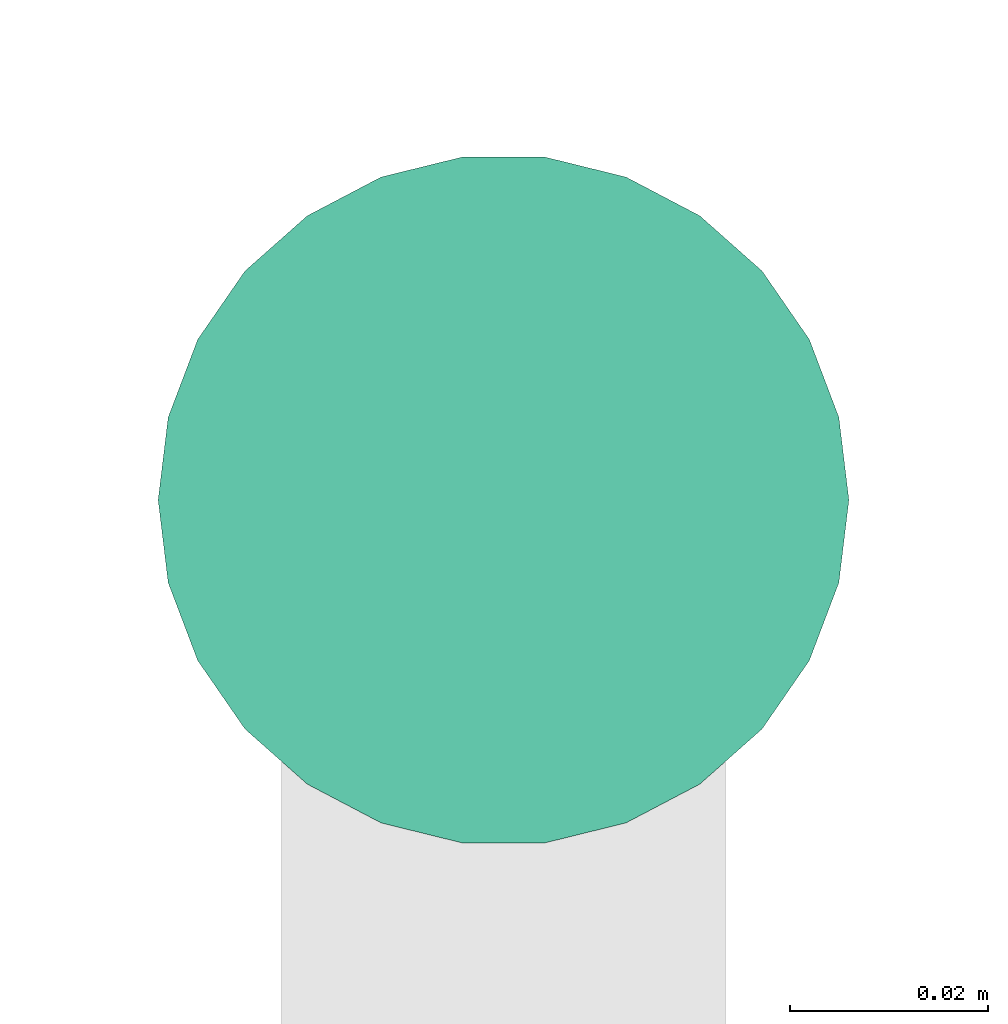
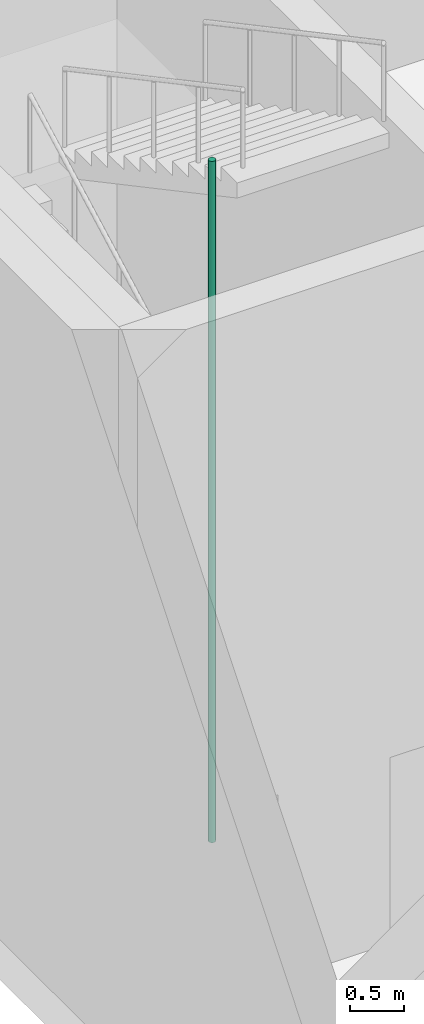
# One storey, part 24 of 33: 1 pipe segment.
"""IFC4 building model written with IfcOpenShell, lengths in metres."""

import ifcopenshell
import ifcopenshell.guid

model = None  # the IFC model being written
_history = None  # IfcOwnerHistory: only IFC2X3 demands one
_inside = {}  # id of a spatial element -> (the spatial element, [elements in it])
_under = {}  # id of a project, library or spatial element -> (it, [spatial elements below it])
_declared = {}  # id of a project -> (the project, [libraries it declares])
_typed = {}  # id of a type object -> (the type object, [elements of that type])
_made_of = {}  # id of a material, layer set ... -> (it, [elements and type objects made of it])


def new_model(schema):
    """Start an empty IFC model of exactly this schema.

    Asked for "IFC4X3", IfcOpenShell would pick the latest addendum, in which some entities
    have other attributes; the version numbers below select the first issue.
    IFC2X3 requires an IfcOwnerHistory on every rooted entity: one is made here for all.
    """
    global model, _history
    if schema == "IFC4X3":
        model = ifcopenshell.file(schema_version=(4, 3, 0, 0))
    else:
        model = ifcopenshell.file(schema=schema)
    _inside.clear()
    _under.clear()
    _declared.clear()
    _typed.clear()
    _made_of.clear()
    _history = None
    if model.schema == "IFC2X3":
        org = make("IfcOrganization", Name="unknown")
        user = make(
            "IfcPersonAndOrganization",
            ThePerson=make("IfcPerson", FamilyName="unknown"),
            TheOrganization=org,
        )
        app = make(
            "IfcApplication",
            ApplicationDeveloper=org,
            Version="unknown",
            ApplicationFullName="unknown",
            ApplicationIdentifier="unknown",
        )
        _history = make(
            "IfcOwnerHistory",
            OwningUser=user,
            OwningApplication=app,
            ChangeAction="ADDED",
            CreationDate=0,
        )
    return model


def make(cls, **values):
    """One entity of the class cls with the attributes given. An attribute that is None is left unset."""
    return model.create_entity(
        cls, **{name: value for name, value in values.items() if value is not None}
    )


def rooted(cls, **values):
    """An entity with a GlobalId (a new one), such as an element, a storey or a relation."""
    return make(cls, GlobalId=ifcopenshell.guid.new(), OwnerHistory=_history, **values)


def si_unit(unit_type, name, prefix=None):
    """IfcSIUnit, for example si_unit("LENGTHUNIT", "METRE", prefix="MILLI")."""
    return make("IfcSIUnit", UnitType=unit_type, Prefix=prefix, Name=name)


def assignment(units):
    """IfcUnitAssignment: the units of a project."""
    return None if units is None else make("IfcUnitAssignment", Units=units)


def point(xyz):
    """IfcCartesianPoint."""
    return None if xyz is None else make("IfcCartesianPoint", Coordinates=xyz)


def direction(xyz):
    """IfcDirection."""
    return None if xyz is None else make("IfcDirection", DirectionRatios=xyz)


def frame(location, z_axis=None, x_axis=None):
    """IfcAxis2Placement3D, a coordinate frame: its origin and axes. An axis left out is left unset."""
    return make(
        "IfcAxis2Placement3D",
        Location=point(location),
        Axis=direction(z_axis),
        RefDirection=direction(x_axis),
    )


def frame_2d(location, x_axis=None):
    """IfcAxis2Placement2D, a coordinate frame in the plane: its origin and x axis."""
    return make(
        "IfcAxis2Placement2D", Location=point(location), RefDirection=direction(x_axis)
    )


def origin():
    """The frame at (0, 0, 0) with its axes left unset."""
    return frame((0.0, 0.0, 0.0))


def origin_2d():
    """The frame at (0, 0) in the plane with its x axis left unset."""
    return frame_2d((0.0, 0.0))


def place(relative_to, where):
    """IfcLocalPlacement: puts the frame where relative to a parent placement (None: the world)."""
    return make(
        "IfcLocalPlacement", PlacementRelTo=relative_to, RelativePlacement=where
    )


def context(
    kind, dimensions, precision=None, world=None, true_north=None, identifier=None
):
    """IfcGeometricRepresentationContext, for example the 3D "Model" context."""
    return make(
        "IfcGeometricRepresentationContext",
        ContextIdentifier=identifier,
        ContextType=kind,
        CoordinateSpaceDimension=dimensions,
        Precision=precision,
        WorldCoordinateSystem=world,
        TrueNorth=true_north,
    )


def subcontext(parent, identifier, kind, view, scale=None):
    """IfcGeometricRepresentationSubContext, for example "Body" below "Model"."""
    return make(
        "IfcGeometricRepresentationSubContext",
        ContextIdentifier=identifier,
        ContextType=kind,
        ParentContext=parent,
        TargetScale=scale,
        TargetView=view,
    )


def project(units=None, contexts=None):
    """IfcProject with its units and contexts."""
    return rooted(
        "IfcProject",
        Name="project",
        RepresentationContexts=contexts,
        UnitsInContext=assignment(units),
    )


def spatial(cls, under=None, at=None, **own):
    """A site, building, storey or space (cls), placed at a placement, below another one or the project."""
    s = rooted(cls, ObjectPlacement=at, **own)
    if under is not None:
        _under.setdefault(under.id(), (under, []))[1].append(s)
    return s


def profile(cls, at=None, kind="AREA", **sizes):
    """A parametric profile (cls). Its sizes go by their IFC names, for example OverallWidth=200.0."""
    return make(cls, ProfileType=kind, Position=at, **sizes)


def circle(**sizes):
    """IfcCircleProfileDef."""
    return profile("IfcCircleProfileDef", **sizes)


def extrude(swept, where, along, depth):
    """IfcExtrudedAreaSolid: the profile swept, set in the frame where, extruded along a direction by depth."""
    return make(
        "IfcExtrudedAreaSolid",
        SweptArea=swept,
        Position=where,
        ExtrudedDirection=direction(along),
        Depth=depth,
    )


def shape(context_of_items, identifier, shape_type, items):
    """IfcShapeRepresentation: the items that make up one representation, for example the "Body"."""
    return make(
        "IfcShapeRepresentation",
        ContextOfItems=context_of_items,
        RepresentationIdentifier=identifier,
        RepresentationType=shape_type,
        Items=items,
    )


def made_of(thing, what):
    """Note that an element or type object is made of a material, layer set ...; save() writes the relation."""
    if what is not None:
        _made_of.setdefault(what.id(), (what, []))[1].append(thing)
    return thing


def element(
    cls,
    number,
    at=None,
    inside=None,
    cuts=None,
    type_object=None,
    material=None,
    context=None,
    identifier="Body",
    shape_type=None,
    held_by="IfcProductDefinitionShape",
    body=None,
    shapes=None,
    **own,
):
    """One element of the class cls, such as IfcWall. Its Tag is "e" and its number.

    at: its placement. inside: the storey or other place that contains it. cuts: it is an
    opening in that element (IfcRelVoidsElement). A single representation is given by context,
    identifier, shape_type and body (its items); several are given by shapes. held_by: the class
    of the entity that holds the representations. save() writes the other relations.
    """
    e = rooted(cls, Tag="e%d" % number, ObjectPlacement=at, **own)
    if body is not None:
        shapes = [shape(context, identifier, shape_type, body)]
    if shapes is not None:
        e.Representation = make(held_by, Representations=shapes)
    if inside is not None:
        _inside.setdefault(inside.id(), (inside, []))[1].append(e)
    if cuts is not None:
        rooted(
            "IfcRelVoidsElement", RelatingBuildingElement=cuts, RelatedOpeningElement=e
        )
    if type_object is not None:
        _typed.setdefault(type_object.id(), (type_object, []))[1].append(e)
    return made_of(e, material)


def aggregate(whole, parts):
    """IfcRelAggregates: a whole, such as a stair, and the parts it consists of."""
    return rooted("IfcRelAggregates", RelatingObject=whole, RelatedObjects=parts)


def save(model, path):
    """Write the relations noted so far, then the file.

    IfcRelAggregates (storeys below a building ...), IfcRelContainedInSpatialStructure (elements
    in a storey), IfcRelDefinesByType, IfcRelAssociatesMaterial and IfcRelDeclares: one each for
    every whole, place, type object, material and project.
    """
    for whole, parts in _under.values():
        aggregate(whole, parts)
    for where, things in _inside.values():
        rooted(
            "IfcRelContainedInSpatialStructure",
            RelatedElements=things,
            RelatingStructure=where,
        )
    for kind, things in _typed.values():
        rooted("IfcRelDefinesByType", RelatedObjects=things, RelatingType=kind)
    for what, things in _made_of.values():
        rooted("IfcRelAssociatesMaterial", RelatedObjects=things, RelatingMaterial=what)
    for by, libraries in _declared.values():
        rooted("IfcRelDeclares", RelatingContext=by, RelatedDefinitions=libraries)
    model.write(path)


model = new_model("IFC4")

# Units and contexts
model_context = context("Model", 3, precision=1e-05, world=origin(), true_north=direction((0.0, 1.0)))
body_context = subcontext(model_context, "Body", "Model", "MODEL_VIEW")
ifc_project = project(units=[si_unit("LENGTHUNIT", "METRE"), si_unit("AREAUNIT", "SQUARE_METRE"), si_unit("VOLUMEUNIT", "CUBIC_METRE"), si_unit("PLANEANGLEUNIT", "RADIAN"), si_unit("MASSUNIT", "GRAM", prefix="KILO")], contexts=[model_context])

# Site, building, storey
site_placement = place(None, origin())
site = spatial("IfcSite", under=ifc_project, at=site_placement, CompositionType="ELEMENT")
building_placement = place(site_placement, origin())
building = spatial("IfcBuilding", under=site, at=building_placement, Name="Nzadi Deep Aquarium and Research Tower", CompositionType="ELEMENT")
storey_placement = place(building_placement, frame((0.0, 0.0, 6.5)))
storey = spatial("IfcBuildingStorey", under=building, at=storey_placement, Name="L01", CompositionType="ELEMENT", Elevation=6.5)

# Pipe segment
pipe_segment_placement = place(storey_placement, frame((2.300048828125, 68.9599609375, 0.0), z_axis=(0.0, 0.0, 1.0), x_axis=(1.0, 0.0, 0.0)))
element("IfcPipeSegment", 1, at=pipe_segment_placement, inside=storey, Name="Dry riser ST-Z2-W L01", PredefinedType="RIGIDSEGMENT", context=body_context, shape_type="SweptSolid", body=[
    extrude(circle(Radius=0.034912109375, at=origin_2d()), origin(), (0.0, 0.0, 1.0), 7.699951171875),
])

save(model, "model.ifc")
